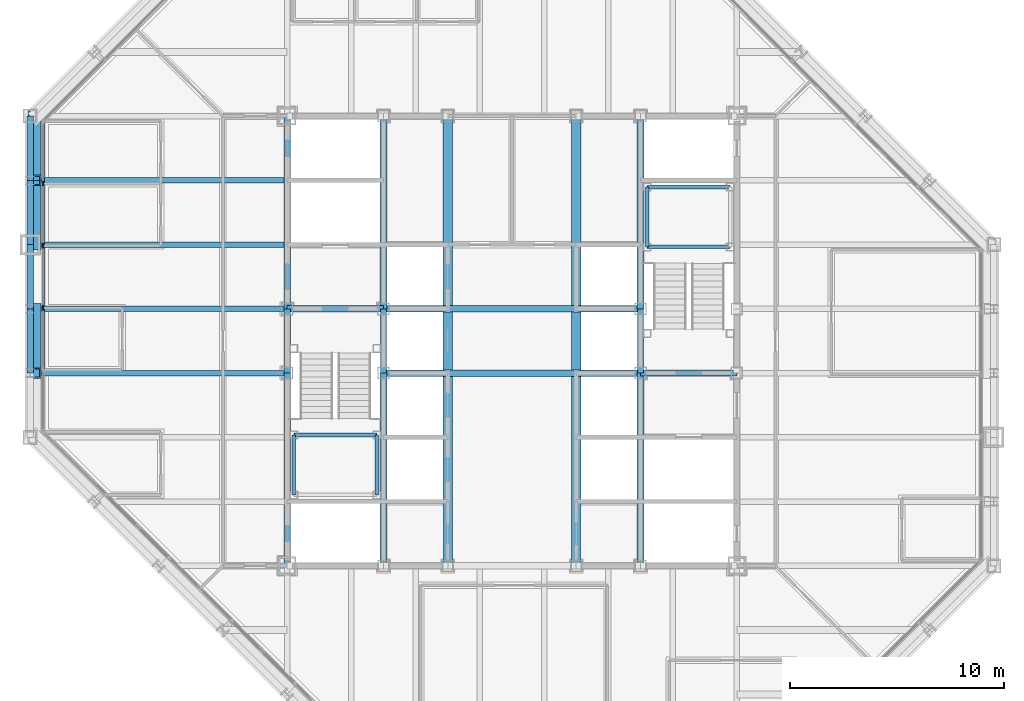
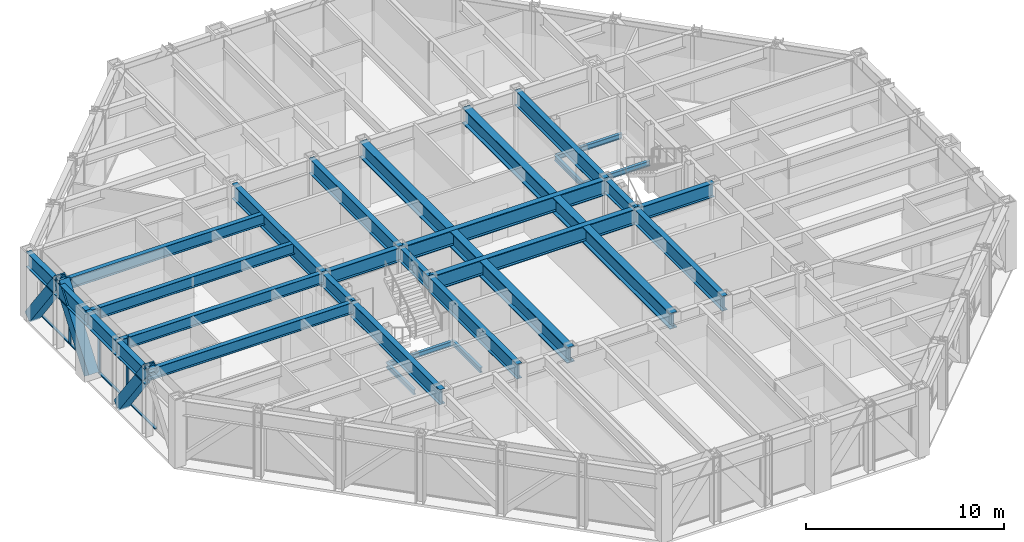
# One storey, part 6 of 16: 33 beams, 10 members, 1 element without a shape of its own.
"""IFC4 building model written with IfcOpenShell, lengths in metres."""

import ifcopenshell
import ifcopenshell.guid

model = None  # the IFC model being written
_history = None  # IfcOwnerHistory: only IFC2X3 demands one
_inside = {}  # id of a spatial element -> (the spatial element, [elements in it])
_under = {}  # id of a project, library or spatial element -> (it, [spatial elements below it])
_declared = {}  # id of a project -> (the project, [libraries it declares])
_typed = {}  # id of a type object -> (the type object, [elements of that type])
_made_of = {}  # id of a material, layer set ... -> (it, [elements and type objects made of it])


def new_model(schema):
    """Start an empty IFC model of exactly this schema.

    Asked for "IFC4X3", IfcOpenShell would pick the latest addendum, in which some entities
    have other attributes; the version numbers below select the first issue.
    IFC2X3 requires an IfcOwnerHistory on every rooted entity: one is made here for all.
    """
    global model, _history
    if schema == "IFC4X3":
        model = ifcopenshell.file(schema_version=(4, 3, 0, 0))
    else:
        model = ifcopenshell.file(schema=schema)
    _inside.clear()
    _under.clear()
    _declared.clear()
    _typed.clear()
    _made_of.clear()
    _history = None
    if model.schema == "IFC2X3":
        org = make("IfcOrganization", Name="unknown")
        user = make(
            "IfcPersonAndOrganization",
            ThePerson=make("IfcPerson", FamilyName="unknown"),
            TheOrganization=org,
        )
        app = make(
            "IfcApplication",
            ApplicationDeveloper=org,
            Version="unknown",
            ApplicationFullName="unknown",
            ApplicationIdentifier="unknown",
        )
        _history = make(
            "IfcOwnerHistory",
            OwningUser=user,
            OwningApplication=app,
            ChangeAction="ADDED",
            CreationDate=0,
        )
    return model


def make(cls, **values):
    """One entity of the class cls with the attributes given. An attribute that is None is left unset."""
    return model.create_entity(
        cls, **{name: value for name, value in values.items() if value is not None}
    )


def rooted(cls, **values):
    """An entity with a GlobalId (a new one), such as an element, a storey or a relation."""
    return make(cls, GlobalId=ifcopenshell.guid.new(), OwnerHistory=_history, **values)


def si_unit(unit_type, name, prefix=None):
    """IfcSIUnit, for example si_unit("LENGTHUNIT", "METRE", prefix="MILLI")."""
    return make("IfcSIUnit", UnitType=unit_type, Prefix=prefix, Name=name)


def assignment(units):
    """IfcUnitAssignment: the units of a project."""
    return None if units is None else make("IfcUnitAssignment", Units=units)


def point(xyz):
    """IfcCartesianPoint."""
    return None if xyz is None else make("IfcCartesianPoint", Coordinates=xyz)


def direction(xyz):
    """IfcDirection."""
    return None if xyz is None else make("IfcDirection", DirectionRatios=xyz)


def frame(location, z_axis=None, x_axis=None):
    """IfcAxis2Placement3D, a coordinate frame: its origin and axes. An axis left out is left unset."""
    return make(
        "IfcAxis2Placement3D",
        Location=point(location),
        Axis=direction(z_axis),
        RefDirection=direction(x_axis),
    )


def frame_2d(location, x_axis=None):
    """IfcAxis2Placement2D, a coordinate frame in the plane: its origin and x axis."""
    return make(
        "IfcAxis2Placement2D", Location=point(location), RefDirection=direction(x_axis)
    )


def origin():
    """The frame at (0, 0, 0) with its axes left unset."""
    return frame((0.0, 0.0, 0.0))


def origin_2d():
    """The frame at (0, 0) in the plane with its x axis left unset."""
    return frame_2d((0.0, 0.0))


def place(relative_to, where):
    """IfcLocalPlacement: puts the frame where relative to a parent placement (None: the world)."""
    return make(
        "IfcLocalPlacement", PlacementRelTo=relative_to, RelativePlacement=where
    )


def context(
    kind, dimensions, precision=None, world=None, true_north=None, identifier=None
):
    """IfcGeometricRepresentationContext, for example the 3D "Model" context."""
    return make(
        "IfcGeometricRepresentationContext",
        ContextIdentifier=identifier,
        ContextType=kind,
        CoordinateSpaceDimension=dimensions,
        Precision=precision,
        WorldCoordinateSystem=world,
        TrueNorth=true_north,
    )


def subcontext(parent, identifier, kind, view, scale=None):
    """IfcGeometricRepresentationSubContext, for example "Body" below "Model"."""
    return make(
        "IfcGeometricRepresentationSubContext",
        ContextIdentifier=identifier,
        ContextType=kind,
        ParentContext=parent,
        TargetScale=scale,
        TargetView=view,
    )


def project(units=None, contexts=None):
    """IfcProject with its units and contexts."""
    return rooted(
        "IfcProject",
        Name="project",
        RepresentationContexts=contexts,
        UnitsInContext=assignment(units),
    )


def spatial(cls, under=None, at=None, **own):
    """A site, building, storey or space (cls), placed at a placement, below another one or the project."""
    s = rooted(cls, ObjectPlacement=at, **own)
    if under is not None:
        _under.setdefault(under.id(), (under, []))[1].append(s)
    return s


def profile(cls, at=None, kind="AREA", **sizes):
    """A parametric profile (cls). Its sizes go by their IFC names, for example OverallWidth=200.0."""
    return make(cls, ProfileType=kind, Position=at, **sizes)


def rectangle(**sizes):
    """IfcRectangleProfileDef."""
    return profile("IfcRectangleProfileDef", **sizes)


def hollow_rectangle(**sizes):
    """IfcRectangleHollowProfileDef."""
    return profile("IfcRectangleHollowProfileDef", **sizes)


def i_section(**sizes):
    """IfcIShapeProfileDef."""
    return profile("IfcIShapeProfileDef", **sizes)


def extrude(swept, where, along, depth):
    """IfcExtrudedAreaSolid: the profile swept, set in the frame where, extruded along a direction by depth."""
    return make(
        "IfcExtrudedAreaSolid",
        SweptArea=swept,
        Position=where,
        ExtrudedDirection=direction(along),
        Depth=depth,
    )


def shape(context_of_items, identifier, shape_type, items):
    """IfcShapeRepresentation: the items that make up one representation, for example the "Body"."""
    return make(
        "IfcShapeRepresentation",
        ContextOfItems=context_of_items,
        RepresentationIdentifier=identifier,
        RepresentationType=shape_type,
        Items=items,
    )


def material(Name=None, Category=None):
    """IfcMaterial."""
    return make("IfcMaterial", Name=Name, Category=Category)


def layer(
    of_material, thickness, ventilated=None, Name=None, Category=None, Priority=None
):
    """IfcMaterialLayer: one layer of a wall or slab, of a material (None: an air gap)."""
    return make(
        "IfcMaterialLayer",
        Material=of_material,
        LayerThickness=thickness,
        IsVentilated=ventilated,
        Name=Name,
        Category=Category,
        Priority=Priority,
    )


def layer_set(layers, Name=None):
    """IfcMaterialLayerSet."""
    return make("IfcMaterialLayerSet", MaterialLayers=layers, LayerSetName=Name)


def material_profile(
    of_material, cross_section, Name=None, Category=None, Priority=None
):
    """IfcMaterialProfile: a cross section and its material."""
    return make(
        "IfcMaterialProfile",
        Name=Name,
        Material=of_material,
        Profile=cross_section,
        Priority=Priority,
        Category=Category,
    )


def profile_set(profiles, Name=None, composite=None):
    """IfcMaterialProfileSet."""
    return make(
        "IfcMaterialProfileSet",
        Name=Name,
        MaterialProfiles=profiles,
        CompositeProfile=composite,
    )


def made_of(thing, what):
    """Note that an element or type object is made of a material, layer set ...; save() writes the relation."""
    if what is not None:
        _made_of.setdefault(what.id(), (what, []))[1].append(thing)
    return thing


def type_object(cls, material=None, **own):
    """A type object (cls), such as IfcWallType, which elements share."""
    return made_of(rooted(cls, **own), material)


def element(
    cls,
    number,
    at=None,
    inside=None,
    cuts=None,
    type_object=None,
    material=None,
    context=None,
    identifier="Body",
    shape_type=None,
    held_by="IfcProductDefinitionShape",
    body=None,
    shapes=None,
    **own,
):
    """One element of the class cls, such as IfcWall. Its Tag is "e" and its number.

    at: its placement. inside: the storey or other place that contains it. cuts: it is an
    opening in that element (IfcRelVoidsElement). A single representation is given by context,
    identifier, shape_type and body (its items); several are given by shapes. held_by: the class
    of the entity that holds the representations. save() writes the other relations.
    """
    e = rooted(cls, Tag="e%d" % number, ObjectPlacement=at, **own)
    if body is not None:
        shapes = [shape(context, identifier, shape_type, body)]
    if shapes is not None:
        e.Representation = make(held_by, Representations=shapes)
    if inside is not None:
        _inside.setdefault(inside.id(), (inside, []))[1].append(e)
    if cuts is not None:
        rooted(
            "IfcRelVoidsElement", RelatingBuildingElement=cuts, RelatedOpeningElement=e
        )
    if type_object is not None:
        _typed.setdefault(type_object.id(), (type_object, []))[1].append(e)
    return made_of(e, material)


def aggregate(whole, parts):
    """IfcRelAggregates: a whole, such as a stair, and the parts it consists of."""
    return rooted("IfcRelAggregates", RelatingObject=whole, RelatedObjects=parts)


def save(model, path):
    """Write the relations noted so far, then the file.

    IfcRelAggregates (storeys below a building ...), IfcRelContainedInSpatialStructure (elements
    in a storey), IfcRelDefinesByType, IfcRelAssociatesMaterial and IfcRelDeclares: one each for
    every whole, place, type object, material and project.
    """
    for whole, parts in _under.values():
        aggregate(whole, parts)
    for where, things in _inside.values():
        rooted(
            "IfcRelContainedInSpatialStructure",
            RelatedElements=things,
            RelatingStructure=where,
        )
    for kind, things in _typed.values():
        rooted("IfcRelDefinesByType", RelatedObjects=things, RelatingType=kind)
    for what, things in _made_of.values():
        rooted("IfcRelAssociatesMaterial", RelatedObjects=things, RelatingMaterial=what)
    for by, libraries in _declared.values():
        rooted("IfcRelDeclares", RelatingContext=by, RelatedDefinitions=libraries)
    model.write(path)


model = new_model("IFC4")

# Units and contexts
model_context = context("Model", 3, precision=1e-05, world=origin(), true_north=direction((0.0, 1.0)))
body_context = subcontext(model_context, "Body", "Model", "MODEL_VIEW")
ifc_project = project(units=[si_unit("LENGTHUNIT", "METRE"), si_unit("AREAUNIT", "SQUARE_METRE"), si_unit("VOLUMEUNIT", "CUBIC_METRE"), si_unit("PLANEANGLEUNIT", "RADIAN"), si_unit("MASSUNIT", "GRAM", prefix="KILO")], contexts=[model_context])

# Site, building, storey
site_placement = place(None, origin())
site = spatial("IfcSite", under=ifc_project, at=site_placement, CompositionType="ELEMENT")
building_placement = place(site_placement, origin())
building = spatial("IfcBuilding", under=site, at=building_placement, Name="Chuquiago Exchange Tower", CompositionType="ELEMENT")
storey_placement = place(building_placement, frame((0.0, 0.0, 239.10009765625)))
storey = spatial("IfcBuildingStorey", under=building, at=storey_placement, Name="L53", CompositionType="ELEMENT", Elevation=239.10009765625)

# Beams
ifc_material_1 = material(Name="Steel ASTM A992", Category="steel")
ifc_material_profile_1 = material_profile(ifc_material_1, i_section(OverallWidth=0.25390625, OverallDepth=0.683349609375, WebThickness=0.012451171875, FlangeThickness=0.018798828125, at=origin_2d()), Name="W27X94")
ifc_profile_set_1 = profile_set([ifc_material_profile_1], Name="Steel ASTM A992")
beam_type_1 = type_object("IfcBeamType", Name="B1 W27X94", PredefinedType="BEAM", material=ifc_profile_set_1)
for number, where, z_axis, x_axis, name in (
    (1, (12.0, 21.0, 3.6982421875), (-1.0, 0.0, 0.0), (0.0, -1.0, 0.0), "FB-L54-infill-12_21--0_21-0"),
    (2, (12.0, 24.0, 3.6982421875), (-1.0, 0.0, 0.0), (0.0, -1.0, 0.0), "FB-L54-infill-12_24--0_24-0"),
    (3, (12.0, 27.0, 3.6982421875), (-1.0, 0.0, 0.0), (0.0, -1.0, 0.0), "FB-L54-infill-12_27--0_27-0"),
    (4, (12.0, 30.0, 3.6982421875), (-1.0, 0.0, 0.0), (0.0, -1.0, 0.0), "FB-L54-infill-12_30--0_30-0"),
):
    element("IfcBeam", number, at=place(storey_placement, frame(where, z_axis=z_axis, x_axis=x_axis)), inside=storey, type_object=beam_type_1, Name=name, PredefinedType="BEAM", context=body_context, shape_type="SweptSolid", body=[
        extrude(i_section(OverallWidth=0.25390625, OverallDepth=0.683349609375, WebThickness=0.012451171875, FlangeThickness=0.018798828125, at=origin_2d()), origin(), (0.0, 0.0, 1.0), 12.0),
    ])
ifc_material_2 = material(Name="Steel ASTM A992", Category="steel")
ifc_material_profile_2 = material_profile(ifc_material_2, i_section(OverallWidth=0.307373046875, OverallDepth=0.927001953125, WebThickness=0.01953125, FlangeThickness=0.031982421875, at=origin_2d()), Name="W36X194")
ifc_profile_set_2 = profile_set([ifc_material_profile_2], Name="Steel ASTM A992")
beam_type_2 = type_object("IfcBeamType", Name="B10 W36X194", PredefinedType="BEAM", material=ifc_profile_set_2)
for number, where, z_axis, x_axis, name in (
    (5, (12.0, 12.0, 3.576416015625), (0.0, 1.0, 0.0), (-1.0, 0.0, 0.0), "CB-L54-12_12-12_21"),
    (6, (12.0, 24.0, 3.576416015625), (0.0, 1.0, 0.0), (-1.0, 0.0, 0.0), "CB-L54-12_24-12_33"),
    (7, (16.5, 12.0, 3.576416015625), (0.0, 1.0, 0.0), (-1.0, 0.0, 0.0), "CB-L54-16.5_12-16.5_21"),
    (8, (16.5, 24.0, 3.576416015625), (0.0, 1.0, 0.0), (-1.0, 0.0, 0.0), "CB-L54-16.5_24-16.5_33"),
    (9, (28.5, 12.0, 3.576416015625), (0.0, 1.0, 0.0), (-1.0, 0.0, 0.0), "CB-L54-28.5_12-28.5_21"),
    (10, (28.5, 24.0, 3.576416015625), (0.0, 1.0, 0.0), (-1.0, 0.0, 0.0), "CB-L54-28.5_24-28.5_33"),
):
    element("IfcBeam", number, at=place(storey_placement, frame(where, z_axis=z_axis, x_axis=x_axis)), inside=storey, type_object=beam_type_2, Name=name, PredefinedType="BEAM", context=body_context, shape_type="SweptSolid", body=[
        extrude(i_section(OverallWidth=0.307373046875, OverallDepth=0.927001953125, WebThickness=0.01953125, FlangeThickness=0.031982421875, at=origin_2d()), origin(), (0.0, 0.0, 1.0), 9.0),
    ])
ifc_material_3 = material(Name="Steel ASTM A992", Category="steel")
ifc_material_profile_3 = material_profile(ifc_material_3, i_section(OverallWidth=0.309814453125, OverallDepth=0.949951171875, WebThickness=0.0244140625, FlangeThickness=0.0439453125, at=origin_2d()), Name="W36X256")
ifc_profile_set_3 = profile_set([ifc_material_profile_3], Name="Steel ASTM A992")
beam_type_3 = type_object("IfcBeamType", Name="B11 W36X256", PredefinedType="BEAM", material=ifc_profile_set_3)
for number, where, z_axis, x_axis, name in (
    (11, (16.5, 21.0, 3.56494140625), (1.0, 0.0, 0.0), (0.0, 1.0, 0.0), "CB-L54-16.5_21-28.5_21"),
    (12, (16.5, 24.0, 3.56494140625), (1.0, 0.0, 0.0), (0.0, 1.0, 0.0), "CB-L54-16.5_24-28.5_24"),
):
    element("IfcBeam", number, at=place(storey_placement, frame(where, z_axis=z_axis, x_axis=x_axis)), inside=storey, type_object=beam_type_3, Name=name, PredefinedType="BEAM", context=body_context, shape_type="SweptSolid", body=[
        extrude(i_section(OverallWidth=0.309814453125, OverallDepth=0.949951171875, WebThickness=0.0244140625, FlangeThickness=0.0439453125, at=origin_2d()), origin(), (0.0, 0.0, 1.0), 12.0),
    ])
ifc_material_4 = material(Name="Steel ASTM A992", Category="steel")
ifc_material_profile_4 = material_profile(ifc_material_4, i_section(OverallWidth=0.4267578125, OverallDepth=0.975341796875, WebThickness=0.031005859375, FlangeThickness=0.055908203125, at=origin_2d()), Name="W36X395")
ifc_profile_set_4 = profile_set([ifc_material_profile_4], Name="Steel ASTM A992")
beam_type_4 = type_object("IfcBeamType", Name="B12 W36X395", PredefinedType="BEAM", material=ifc_profile_set_4)
beam_1_placement = place(storey_placement, frame((19.5, 12.0, 3.55224609375), z_axis=(0.0, 1.0, 0.0), x_axis=(-1.0, 0.0, 0.0)))
element("IfcBeam", 13, at=beam_1_placement, inside=storey, type_object=beam_type_4, Name="CB-L54-19.5_12-19.5_20.8451", PredefinedType="BEAM", context=body_context, shape_type="SweptSolid", body=[
    extrude(i_section(OverallWidth=0.4267578125, OverallDepth=0.975341796875, WebThickness=0.031005859375, FlangeThickness=0.055908203125, at=origin_2d()), origin(), (0.0, 0.0, 1.0), 8.84521484375),
])
beam_2_placement = place(storey_placement, frame((19.5, 21.15478515625, 3.55224609375), z_axis=(0.0, 1.0, 0.0), x_axis=(-1.0, 0.0, 0.0)))
element("IfcBeam", 14, at=beam_2_placement, inside=storey, type_object=beam_type_4, Name="CB-L54-19.5_21.1549-19.5_23.8451", PredefinedType="BEAM", context=body_context, shape_type="SweptSolid", body=[
    extrude(i_section(OverallWidth=0.4267578125, OverallDepth=0.975341796875, WebThickness=0.031005859375, FlangeThickness=0.055908203125, at=origin_2d()), origin(), (0.0, 0.0, 1.0), 2.6904296875),
])
for number, where, z_axis, x_axis, name in (
    (15, (19.5, 24.15478515625, 3.55224609375), (0.0, 1.0, 0.0), (-1.0, 0.0, 0.0), "CB-L54-19.5_24.1549-19.5_33"),
    (16, (25.5, 12.0, 3.55224609375), (0.0, 1.0, 0.0), (-1.0, 0.0, 0.0), "CB-L54-25.5_12-25.5_20.8451"),
):
    element("IfcBeam", number, at=place(storey_placement, frame(where, z_axis=z_axis, x_axis=x_axis)), inside=storey, type_object=beam_type_4, Name=name, PredefinedType="BEAM", context=body_context, shape_type="SweptSolid", body=[
        extrude(i_section(OverallWidth=0.4267578125, OverallDepth=0.975341796875, WebThickness=0.031005859375, FlangeThickness=0.055908203125, at=origin_2d()), origin(), (0.0, 0.0, 1.0), 8.84521484375),
    ])
beam_3_placement = place(storey_placement, frame((25.5, 21.15478515625, 3.55224609375), z_axis=(0.0, 1.0, 0.0), x_axis=(-1.0, 0.0, 0.0)))
element("IfcBeam", 17, at=beam_3_placement, inside=storey, type_object=beam_type_4, Name="CB-L54-25.5_21.1549-25.5_23.8451", PredefinedType="BEAM", context=body_context, shape_type="SweptSolid", body=[
    extrude(i_section(OverallWidth=0.4267578125, OverallDepth=0.975341796875, WebThickness=0.031005859375, FlangeThickness=0.055908203125, at=origin_2d()), origin(), (0.0, 0.0, 1.0), 2.6904296875),
])
beam_4_placement = place(storey_placement, frame((25.5, 24.15478515625, 3.55224609375), z_axis=(0.0, 1.0, 0.0), x_axis=(-1.0, 0.0, 0.0)))
element("IfcBeam", 18, at=beam_4_placement, inside=storey, type_object=beam_type_4, Name="CB-L54-25.5_24.1549-25.5_33", PredefinedType="BEAM", context=body_context, shape_type="SweptSolid", body=[
    extrude(i_section(OverallWidth=0.4267578125, OverallDepth=0.975341796875, WebThickness=0.031005859375, FlangeThickness=0.055908203125, at=origin_2d()), origin(), (0.0, 0.0, 1.0), 8.84521484375),
])
ifc_material_5 = material(Name="Steel ASTM A992", Category="steel")
ifc_material_profile_5 = material_profile(ifc_material_5, i_section(OverallWidth=0.2919921875, OverallDepth=0.8583984375, WebThickness=0.01708984375, FlangeThickness=0.031005859375, at=origin_2d()), Name="W33X169")
ifc_profile_set_5 = profile_set([ifc_material_profile_5], Name="Steel ASTM A992")
beam_type_5 = type_object("IfcBeamType", Name="B3 W33X169", PredefinedType="BEAM", material=ifc_profile_set_5)
for number, where, z_axis, x_axis, name in (
    (19, (12.0, 21.0, 3.610595703125), (0.0, 1.0, 0.0), (-1.0, 0.0, 0.0), "CB-L54-12_21-12_24"),
    (20, (16.5, 21.0, 3.610595703125), (0.0, 1.0, 0.0), (-1.0, 0.0, 0.0), "CB-L54-16.5_21-16.5_24"),
    (21, (28.5, 21.0, 3.610595703125), (0.0, 1.0, 0.0), (-1.0, 0.0, 0.0), "CB-L54-28.5_21-28.5_24"),
):
    element("IfcBeam", number, at=place(storey_placement, frame(where, z_axis=z_axis, x_axis=x_axis)), inside=storey, type_object=beam_type_5, Name=name, PredefinedType="BEAM", context=body_context, shape_type="SweptSolid", body=[
        extrude(i_section(OverallWidth=0.2919921875, OverallDepth=0.8583984375, WebThickness=0.01708984375, FlangeThickness=0.031005859375, at=origin_2d()), origin(), (0.0, 0.0, 1.0), 3.0),
    ])
for number, where, z_axis, x_axis, name in (
    (22, (28.5, 21.0, 3.610595703125), (1.0, 0.0, 0.0), (0.0, 1.0, 0.0), "CB-L54-28.5_21-33_21"),
    (23, (12.0, 24.0, 3.610595703125), (1.0, 0.0, 0.0), (0.0, 1.0, 0.0), "CB-L54-12_24-16.5_24"),
):
    element("IfcBeam", number, at=place(storey_placement, frame(where, z_axis=z_axis, x_axis=x_axis)), inside=storey, type_object=beam_type_5, Name=name, PredefinedType="BEAM", context=body_context, shape_type="SweptSolid", body=[
        extrude(i_section(OverallWidth=0.2919921875, OverallDepth=0.8583984375, WebThickness=0.01708984375, FlangeThickness=0.031005859375, at=origin_2d()), origin(), (0.0, 0.0, 1.0), 4.5),
    ])

# Curtain wall, members
ifc_material_6 = material(Name="Aluminium curtain wall system", Category="aluminium")
ifc_layer = layer(ifc_material_6, 0.22509765625)
ifc_layer_set = layer_set([ifc_layer], Name="CW2 office curtain wall")
curtain_wall_type = type_object("IfcCurtainWallType", Name="CW2 office curtain wall", PredefinedType="NOTDEFINED", material=ifc_layer_set)
curtain_wall_placement = place(storey_placement, origin())
curtain_wall = element("IfcCurtainWall", 24, at=curtain_wall_placement, inside=storey, type_object=curtain_wall_type, Name="CW2 curtain wall L53", PredefinedType="NOTDEFINED")
ifc_material_7 = material(Name="Aluminium mullion, pale anodised", Category="aluminium")
ifc_material_profile_6 = material_profile(ifc_material_7, rectangle(XDim=0.06494140625, YDim=0.22509765625, at=origin_2d()), Name="AL 65x225")
ifc_profile_set_6 = profile_set([ifc_material_profile_6], Name="Aluminium mullion, pale anodised")
member_type_1 = type_object("IfcMemberType", Name="CW2-M mullion 65x225", PredefinedType="MULLION", material=ifc_profile_set_6)
member_1_placement = place(storey_placement, frame((0.60009765625, 29.850830078125, 0.0), z_axis=(0.0, 0.0, 1.0), x_axis=(1.0, 0.0, 0.0)))
member_1 = element("IfcMember", 25, at=member_1_placement, type_object=member_type_1, Name="CW2 mullion 2", PredefinedType="MULLION", context=body_context, shape_type="SweptSolid", body=[
    extrude(rectangle(XDim=0.06494140625, YDim=0.22509765625, at=origin_2d()), origin(), (0.0, 0.0, 1.0), 4.039794921875),
])
member_2_placement = place(storey_placement, frame((0.60009765625, 26.9501953125, 0.0), z_axis=(0.0, 0.0, 1.0), x_axis=(1.0, 0.0, 0.0)))
member_2 = element("IfcMember", 26, at=member_2_placement, type_object=member_type_1, Name="CW2 mullion 3", PredefinedType="MULLION", context=body_context, shape_type="SweptSolid", body=[
    extrude(rectangle(XDim=0.06494140625, YDim=0.22509765625, at=origin_2d()), origin(), (0.0, 0.0, 1.0), 4.039794921875),
])
member_3_placement = place(storey_placement, frame((0.60009765625, 24.0498046875, 0.0), z_axis=(0.0, 0.0, 1.0), x_axis=(1.0, 0.0, 0.0)))
member_3 = element("IfcMember", 27, at=member_3_placement, type_object=member_type_1, Name="CW2 mullion 4", PredefinedType="MULLION", context=body_context, shape_type="SweptSolid", body=[
    extrude(rectangle(XDim=0.06494140625, YDim=0.22509765625, at=origin_2d()), origin(), (0.0, 0.0, 1.0), 4.039794921875),
])
ifc_material_8 = material(Name="Aluminium transom, pale anodised", Category="aluminium")
ifc_material_profile_7 = material_profile(ifc_material_8, rectangle(XDim=0.139892578125, YDim=0.06494140625, at=origin_2d()), Name="AL 140x65")
ifc_profile_set_7 = profile_set([ifc_material_profile_7], Name="Aluminium transom, pale anodised")
member_type_2 = type_object("IfcMemberType", Name="CW2-T transom 65x140", PredefinedType="MULLION", material=ifc_profile_set_7)
member_4_placement = place(storey_placement, frame((0.60009765625, 32.6865234375, 0.032470703125), z_axis=(0.0, -1.0, 0.0), x_axis=(1.0, 0.0, 0.0)))
member_4 = element("IfcMember", 28, at=member_4_placement, type_object=member_type_2, Name="CW2 transom 1.1", PredefinedType="MULLION", context=body_context, shape_type="SweptSolid", body=[
    extrude(rectangle(XDim=0.139892578125, YDim=0.06494140625, at=origin_2d()), origin(), (0.0, 0.0, 1.0), 2.80322265625),
])
member_5_placement = place(storey_placement, frame((0.60009765625, 29.818359375, 0.032470703125), z_axis=(0.0, -1.0, 0.0), x_axis=(1.0, 0.0, 0.0)))
member_5 = element("IfcMember", 29, at=member_5_placement, type_object=member_type_2, Name="CW2 transom 2.1", PredefinedType="MULLION", context=body_context, shape_type="SweptSolid", body=[
    extrude(rectangle(XDim=0.139892578125, YDim=0.06494140625, at=origin_2d()), origin(), (0.0, 0.0, 1.0), 2.83544921875),
])
member_6_placement = place(storey_placement, frame((0.60009765625, 26.917724609375, 0.032470703125), z_axis=(0.0, -1.0, 0.0), x_axis=(1.0, 0.0, 0.0)))
member_6 = element("IfcMember", 30, at=member_6_placement, type_object=member_type_2, Name="CW2 transom 3.1", PredefinedType="MULLION", context=body_context, shape_type="SweptSolid", body=[
    extrude(rectangle(XDim=0.139892578125, YDim=0.06494140625, at=origin_2d()), origin(), (0.0, 0.0, 1.0), 2.83544921875),
])
member_7_placement = place(storey_placement, frame((0.60009765625, 24.01708984375, 0.032470703125), z_axis=(0.0, -1.0, 0.0), x_axis=(1.0, 0.0, 0.0)))
member_7 = element("IfcMember", 31, at=member_7_placement, type_object=member_type_2, Name="CW2 transom 4.1", PredefinedType="MULLION", context=body_context, shape_type="SweptSolid", body=[
    extrude(rectangle(XDim=0.139892578125, YDim=0.06494140625, at=origin_2d()), origin(), (0.0, 0.0, 1.0), 2.83544921875),
])
aggregate(curtain_wall, [member_1, member_2, member_3, member_4, member_5, member_6, member_7])

# Beams
ifc_material_9 = material(Name="Steel ASTM A992", Category="steel")
ifc_material_profile_8 = material_profile(ifc_material_9, i_section(OverallWidth=0.164794921875, OverallDepth=0.309814453125, WebThickness=0.005859375, FlangeThickness=0.009765625, at=origin_2d()), Name="W12X26")
ifc_profile_set_8 = profile_set([ifc_material_profile_8], Name="Steel ASTM A992")
beam_type_6 = type_object("IfcBeamType", Name="LS1 W12X26", PredefinedType="BEAM", material=ifc_profile_set_8)
for number, where, z_axis, x_axis, name in (
    (32, (12.31005859375, 15.31005859375, 1.7451171875), (0.0, 1.0, 0.0), (-1.0, 0.0, 0.0), "Stair ST1 L53 landing 1 stringer"),
    (33, (16.18994140625, 15.31005859375, 1.7451171875), (0.0, 1.0, 0.0), (-1.0, 0.0, 0.0), "Stair ST1 L53 landing 1 stringer"),
    (34, (28.81005859375, 26.889892578125, 1.7451171875), (0.0, 1.0, 0.0), (-1.0, 0.0, 0.0), "Stair ST2 L53 landing 1 stringer"),
):
    element("IfcBeam", number, at=place(storey_placement, frame(where, z_axis=z_axis, x_axis=x_axis)), inside=storey, type_object=beam_type_6, Name=name, PredefinedType="BEAM", context=body_context, shape_type="SweptSolid", body=[
        extrude(i_section(OverallWidth=0.164794921875, OverallDepth=0.309814453125, WebThickness=0.005859375, FlangeThickness=0.009765625, at=origin_2d()), origin(), (0.0, 0.0, 1.0), 2.800048828125),
    ])
ifc_material_10 = material(Name="Steel ASTM A992", Category="steel")
ifc_material_profile_9 = material_profile(ifc_material_10, i_section(OverallWidth=0.164794921875, OverallDepth=0.309814453125, WebThickness=0.005859375, FlangeThickness=0.009765625, at=origin_2d()), Name="W12X26")
ifc_profile_set_9 = profile_set([ifc_material_profile_9], Name="Steel ASTM A992")
beam_type_7 = type_object("IfcBeamType", Name="LT1 W12X26", PredefinedType="BEAM", material=ifc_profile_set_9)
for number, where, z_axis, x_axis, name in (
    (35, (12.31005859375, 18.110107421875, 1.7451171875), (1.0, 0.0, 0.0), (0.0, 1.0, 0.0), "Stair ST1 L53 landing 1 trimmer"),
    (36, (28.81005859375, 29.68994140625, 1.7451171875), (1.0, 0.0, 0.0), (0.0, 1.0, 0.0), "Stair ST2 L53 landing 1 trimmer"),
    (37, (28.81005859375, 26.889892578125, 1.7451171875), (1.0, 0.0, 0.0), (0.0, 1.0, 0.0), "Stair ST2 L53 landing 1 trimmer"),
):
    element("IfcBeam", number, at=place(storey_placement, frame(where, z_axis=z_axis, x_axis=x_axis)), inside=storey, type_object=beam_type_7, Name=name, PredefinedType="BEAM", context=body_context, shape_type="SweptSolid", body=[
        extrude(i_section(OverallWidth=0.164794921875, OverallDepth=0.309814453125, WebThickness=0.005859375, FlangeThickness=0.009765625, at=origin_2d()), origin(), (0.0, 0.0, 1.0), 3.8798828125),
    ])

# Members
ifc_material_11 = material(Name="Steel ASTM A572 Grade 50", Category="steel")
ifc_material_profile_10 = material_profile(ifc_material_11, hollow_rectangle(XDim=0.60009765625, YDim=0.60009765625, WallThickness=0.06005859375, at=origin_2d()), Name="BOX600X600X60")
ifc_profile_set_10 = profile_set([ifc_material_profile_10], Name="Steel ASTM A572 Grade 50")
member_type_3 = type_object("IfcMemberType", Name="MB3 BOX600X600X60", PredefinedType="BRACE", material=ifc_profile_set_10)
for number, where, z_axis, x_axis, name in (
    (38, (0.205078125, 33.0, 0.0), (0.0, -0.596197146086, 0.802838067732), (1.0, 0.0, 0.0), "Mega diagonal L53 W face"),
    (39, (0.205078125, 27.0, 0.0), (0.0, 0.596197146086, 0.802838067732), (-1.0, 0.0, 0.0), "Mega diagonal L53 W face"),
    (40, (0.205078125, 24.0, 0.0), (0.0, -0.596197146086, 0.802838067732), (1.0, 0.0, 0.0), "Mega diagonal L53 W face"),
):
    element("IfcMember", number, at=place(storey_placement, frame(where, z_axis=z_axis, x_axis=x_axis)), inside=storey, type_object=member_type_3, Name=name, PredefinedType="BRACE", context=body_context, shape_type="SweptSolid", body=[
        extrude(hollow_rectangle(XDim=0.60009765625, YDim=0.60009765625, WallThickness=0.06005859375, at=origin_2d()), origin(), (0.0, 0.0, 1.0), 5.031982421875),
    ])

# Beams
ifc_material_12 = material(Name="Steel ASTM A992", Category="steel")
ifc_material_profile_11 = material_profile(ifc_material_12, i_section(OverallWidth=0.307373046875, OverallDepth=0.927001953125, WebThickness=0.01953125, FlangeThickness=0.031982421875, at=origin_2d()), Name="W36X194")
ifc_profile_set_11 = profile_set([ifc_material_profile_11], Name="Steel ASTM A992")
beam_type_8 = type_object("IfcBeamType", Name="SP3 W36X194", PredefinedType="SPANDREL", material=ifc_profile_set_11)
for number, where, z_axis, x_axis, name in (
    (41, (0.0, 33.0, 3.576416015625), (0.0, -1.0, 0.0), (1.0, 0.0, 0.0), "SPB-L54-0_33-0_30"),
    (42, (0.0, 30.0, 3.576416015625), (0.0, -1.0, 0.0), (1.0, 0.0, 0.0), "SPB-L54-0_30-0_27"),
    (43, (0.0, 27.0, 3.576416015625), (0.0, -1.0, 0.0), (1.0, 0.0, 0.0), "SPB-L54-0_27-0_24"),
    (44, (0.0, 24.0, 3.576416015625), (0.0, -1.0, 0.0), (1.0, 0.0, 0.0), "SPB-L54-0_24-0_21"),
):
    element("IfcBeam", number, at=place(storey_placement, frame(where, z_axis=z_axis, x_axis=x_axis)), inside=storey, type_object=beam_type_8, Name=name, PredefinedType="SPANDREL", context=body_context, shape_type="SweptSolid", body=[
        extrude(i_section(OverallWidth=0.307373046875, OverallDepth=0.927001953125, WebThickness=0.01953125, FlangeThickness=0.031982421875, at=origin_2d()), origin(), (0.0, 0.0, 1.0), 3.0),
    ])

save(model, "model.ifc")
